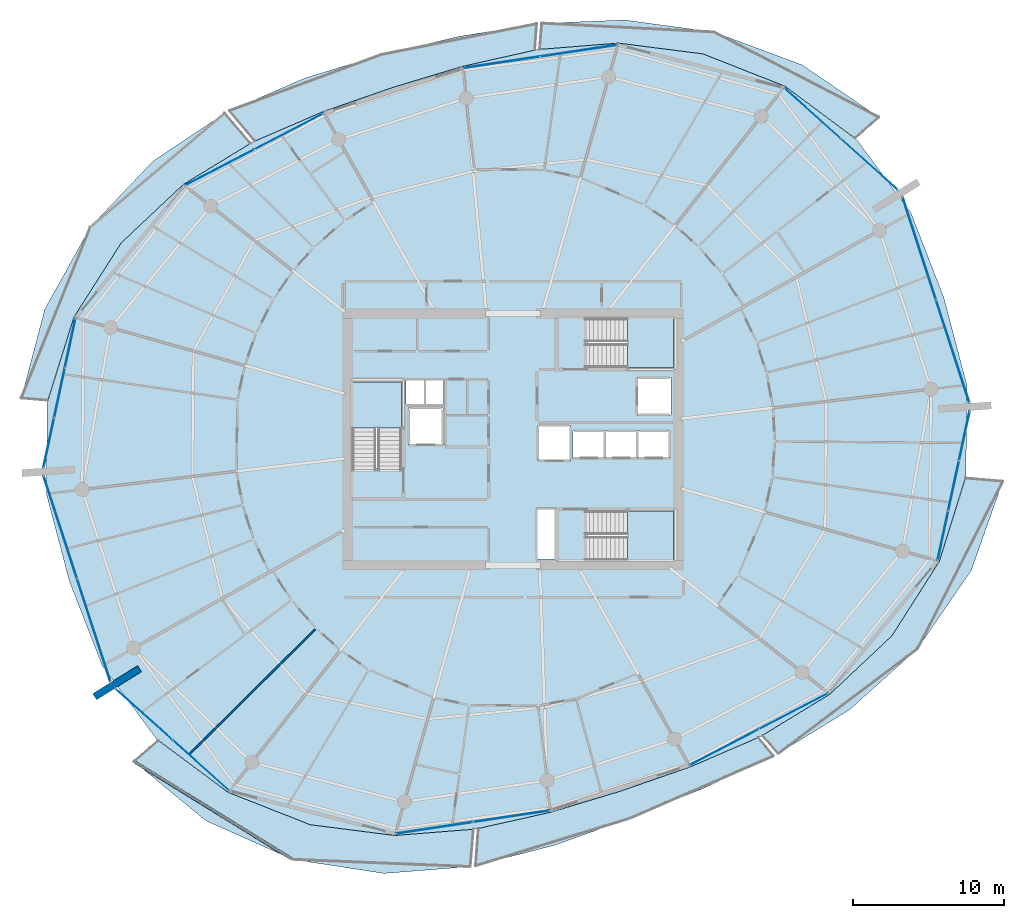
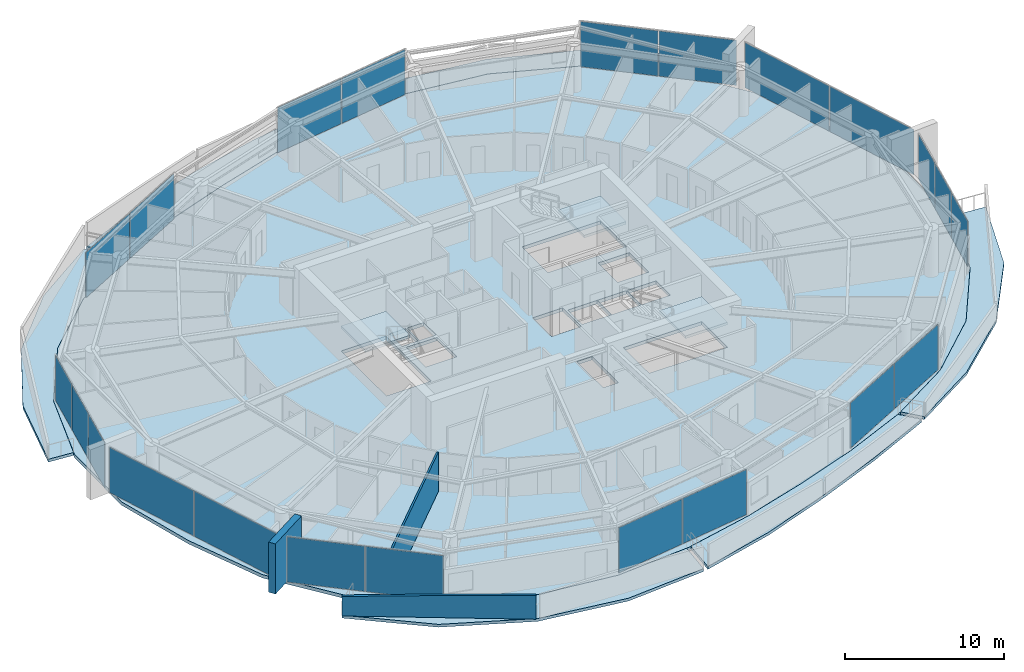
# One storey, part 18 of 31: 22 plates, 10 slabs, 3 walls, 13 elements without a shape of their own.
"""IFC4 building model written with IfcOpenShell, lengths in metres."""

from ifc_helpers import new_model, si_unit, direction, frame, frame_2d, origin, origin_2d, place, context, subcontext, project, spatial, polyline, rectangle, outline, extrude, material, layer, layer_set, type_object, element, aggregate, save


model = new_model("IFC4")

# Units and contexts
model_context = context("Model", 3, precision=1e-05, world=origin(), true_north=direction((0.0, 1.0)))
body_context = subcontext(model_context, "Body", "Model", "MODEL_VIEW")
ifc_project = project(units=[si_unit("LENGTHUNIT", "METRE"), si_unit("AREAUNIT", "SQUARE_METRE"), si_unit("VOLUMEUNIT", "CUBIC_METRE"), si_unit("PLANEANGLEUNIT", "RADIAN"), si_unit("MASSUNIT", "GRAM", prefix="KILO")], contexts=[model_context])

# Site, building, storey
site_placement = place(None, origin())
site = spatial("IfcSite", under=ifc_project, at=site_placement, CompositionType="ELEMENT")
building_placement = place(site_placement, origin())
building = spatial("IfcBuilding", under=site, at=building_placement, Name="Kazma Halo Residences", CompositionType="ELEMENT")
storey_placement = place(building_placement, frame((0.0, 0.0, 240.550048828125)))
storey = spatial("IfcBuildingStorey", under=building, at=storey_placement, Name="L60", CompositionType="ELEMENT", Elevation=240.550048828125)

# Curtain wall, plates
ifc_material_1 = material(Name="Aluminium AW-6063 T6 and Triple-Silver Low-E Glass", Category="aluminium")
ifc_layer_1 = layer(ifc_material_1, 0.139892578125)
ifc_layer_set_1 = layer_set([ifc_layer_1], Name="Aluminium AW-6063 T6 and Triple-Silver Low-E Glass")
curtain_wall_type = type_object("IfcCurtainWallType", Name="CW-SYS-5", PredefinedType="NOTDEFINED", material=ifc_layer_set_1)
curtain_wall_1_placement = place(storey_placement, origin())
curtain_wall_1 = element("IfcCurtainWall", 1, at=curtain_wall_1_placement, inside=storey, type_object=curtain_wall_type, Name="L60 unitised curtain wall B01", PredefinedType="NOTDEFINED")
ifc_material_2 = material(Name="Clear Triple-Silver Low-E Glass IGU", Category="glass")
ifc_layer_2 = layer(ifc_material_2, 0.02587890625)
ifc_layer_set_2 = layer_set([ifc_layer_2], Name="Clear Triple-Silver Low-E Glass IGU")
plate_type = type_object("IfcPlateType", Name="CW-SYS-5-PNL", PredefinedType="CURTAIN_PANEL", material=ifc_layer_set_2)
plate_1_placement = place(storey_placement, frame((72.002685546875, 60.179443359375, 0.06005859375), z_axis=(0.0, 0.0, 1.0), x_axis=(-0.744336424671, 0.667804826958, 0.0)))
plate_1 = element("IfcPlate", 2, at=plate_1_placement, type_object=plate_type, Name="CWS-5 panel 1.1", PredefinedType="CURTAIN_PANEL", context=body_context, shape_type="SweptSolid", body=[
    extrude(rectangle(XDim=4.993408203125, YDim=0.02587890625, at=origin_2d()), origin(), (0.0, 0.0, 1.0), 3.469970703125),
])
plate_2_placement = place(storey_placement, frame((68.2412109375, 63.55419921875, 0.06005859375), z_axis=(0.0, 0.0, 1.0), x_axis=(-0.744336424671, 0.667804826958, 0.0)))
plate_2 = element("IfcPlate", 3, at=plate_2_placement, type_object=plate_type, Name="CWS-5 panel 2.1", PredefinedType="CURTAIN_PANEL", context=body_context, shape_type="SweptSolid", body=[
    extrude(rectangle(XDim=4.993408203125, YDim=0.02587890625, at=origin_2d()), origin(), (0.0, 0.0, 1.0), 3.469970703125),
])
aggregate(curtain_wall_1, [plate_1, plate_2])

curtain_wall_2_placement = place(storey_placement, origin())
curtain_wall_2 = element("IfcCurtainWall", 4, at=curtain_wall_2_placement, inside=storey, type_object=curtain_wall_type, Name="L60 unitised curtain wall B03", PredefinedType="NOTDEFINED")
plate_3_placement = place(storey_placement, frame((52.77783203125, 67.70361328125, 0.06005859375), z_axis=(0.0, 0.0, 1.0), x_axis=(-0.988882792998, -0.148697080374, 0.0)))
plate_3 = element("IfcPlate", 5, at=plate_3_placement, type_object=plate_type, Name="CWS-5 panel 1.1", PredefinedType="CURTAIN_PANEL", context=body_context, shape_type="SweptSolid", body=[
    extrude(rectangle(XDim=5.099853515625, YDim=0.02587890625, at=origin_2d()), origin(), (0.0, 0.0, 1.0), 3.469970703125),
])
plate_4_placement = place(storey_placement, frame((47.67529296875, 66.936279296875, 0.06005859375), z_axis=(0.0, 0.0, 1.0), x_axis=(-0.988882792998, -0.148697080374, 0.0)))
plate_4 = element("IfcPlate", 6, at=plate_4_placement, type_object=plate_type, Name="CWS-5 panel 2.1", PredefinedType="CURTAIN_PANEL", context=body_context, shape_type="SweptSolid", body=[
    extrude(rectangle(XDim=5.099853515625, YDim=0.02587890625, at=origin_2d()), origin(), (0.0, 0.0, 1.0), 3.469970703125),
])
aggregate(curtain_wall_2, [plate_3, plate_4])

curtain_wall_3_placement = place(storey_placement, origin())
curtain_wall_3 = element("IfcCurtainWall", 7, at=curtain_wall_3_placement, inside=storey, type_object=curtain_wall_type, Name="L60 unitised curtain wall B05", PredefinedType="NOTDEFINED")
plate_5_placement = place(storey_placement, frame((33.60546875, 62.36474609375, 0.06005859375), z_axis=(0.0, 0.0, 1.0), x_axis=(-0.887420518694, -0.460960760804, 0.0)))
plate_5 = element("IfcPlate", 8, at=plate_5_placement, type_object=plate_type, Name="CWS-5 panel 1.1", PredefinedType="CURTAIN_PANEL", context=body_context, shape_type="SweptSolid", body=[
    extrude(rectangle(XDim=5.099609375, YDim=0.02587890625, at=origin_2d()), origin(), (0.0, 0.0, 1.0), 3.469970703125),
])
plate_6_placement = place(storey_placement, frame((29.026611328125, 59.986328125, 0.06005859375), z_axis=(0.0, 0.0, 1.0), x_axis=(-0.887420518694, -0.460960760804, 0.0)))
plate_6 = element("IfcPlate", 9, at=plate_6_placement, type_object=plate_type, Name="CWS-5 panel 2.1", PredefinedType="CURTAIN_PANEL", context=body_context, shape_type="SweptSolid", body=[
    extrude(rectangle(XDim=5.099609375, YDim=0.02587890625, at=origin_2d()), origin(), (0.0, 0.0, 1.0), 3.469970703125),
])
aggregate(curtain_wall_3, [plate_5, plate_6])

curtain_wall_4_placement = place(storey_placement, origin())
curtain_wall_4 = element("IfcCurtainWall", 10, at=curtain_wall_4_placement, inside=storey, type_object=curtain_wall_type, Name="L60 unitised curtain wall B07", PredefinedType="NOTDEFINED")
plate_7_placement = place(storey_placement, frame((19.133056640625, 48.36865234375, 0.06005859375), z_axis=(0.0, 0.0, 1.0), x_axis=(-0.209657382603, -0.97777491373, 0.0)))
plate_7 = element("IfcPlate", 11, at=plate_7_placement, type_object=plate_type, Name="CWS-5 panel 1.1", PredefinedType="CURTAIN_PANEL", context=body_context, shape_type="SweptSolid", body=[
    extrude(rectangle(XDim=3.299072265625, YDim=0.02587890625, at=origin_2d()), origin(), (0.0, 0.0, 1.0), 3.469970703125),
])
plate_8_placement = place(storey_placement, frame((18.42578125, 45.069580078125, 0.06005859375), z_axis=(0.0, 0.0, 1.0), x_axis=(-0.209657382603, -0.97777491373, 0.0)))
plate_8 = element("IfcPlate", 12, at=plate_8_placement, type_object=plate_type, Name="CWS-5 panel 2.1", PredefinedType="CURTAIN_PANEL", context=body_context, shape_type="SweptSolid", body=[
    extrude(rectangle(XDim=3.3291015625, YDim=0.02587890625, at=origin_2d()), origin(), (0.0, 0.0, 1.0), 3.469970703125),
])
plate_9_placement = place(storey_placement, frame((17.71826171875, 41.7705078125, 0.06005859375), z_axis=(0.0, 0.0, 1.0), x_axis=(-0.209657382603, -0.97777491373, 0.0)))
plate_9 = element("IfcPlate", 13, at=plate_9_placement, type_object=plate_type, Name="CWS-5 panel 3.1", PredefinedType="CURTAIN_PANEL", context=body_context, shape_type="SweptSolid", body=[
    extrude(rectangle(XDim=3.299072265625, YDim=0.02587890625, at=origin_2d()), origin(), (0.0, 0.0, 1.0), 3.469970703125),
])
aggregate(curtain_wall_4, [plate_7, plate_8, plate_9])

curtain_wall_5_placement = place(storey_placement, origin())
curtain_wall_5 = element("IfcCurtainWall", 14, at=curtain_wall_5_placement, inside=storey, type_object=curtain_wall_type, Name="L60 unitised curtain wall B08", PredefinedType="NOTDEFINED")
plate_10_placement = place(storey_placement, frame((18.48486328125, 36.1787109375, 0.06005859375), z_axis=(0.0, 0.0, 1.0), x_axis=(0.309010998786, -0.951058464359, 0.0)))
plate_10 = element("IfcPlate", 15, at=plate_10_placement, type_object=plate_type, Name="CWS-5 panel 1.1", PredefinedType="CURTAIN_PANEL", context=body_context, shape_type="SweptSolid", body=[
    extrude(rectangle(XDim=7.108642578125, YDim=0.02587890625, at=origin_2d()), origin(), (0.0, 0.0, 1.0), 3.469970703125),
])
plate_11_placement = place(storey_placement, frame((20.699951171875, 29.36083984375, 0.06005859375), z_axis=(0.0, 0.0, 1.0), x_axis=(0.309010998786, -0.951058464359, 0.0)))
plate_11 = element("IfcPlate", 16, at=plate_11_placement, type_object=plate_type, Name="CWS-5 panel 2.1", PredefinedType="CURTAIN_PANEL", context=body_context, shape_type="SweptSolid", body=[
    extrude(rectangle(XDim=7.108642578125, YDim=0.02587890625, at=origin_2d()), origin(), (0.0, 0.0, 1.0), 3.469970703125),
])
aggregate(curtain_wall_5, [plate_10, plate_11])

curtain_wall_6_placement = place(storey_placement, origin())
curtain_wall_6 = element("IfcCurtainWall", 17, at=curtain_wall_6_placement, inside=storey, type_object=curtain_wall_type, Name="L60 unitised curtain wall B09", PredefinedType="NOTDEFINED")
plate_12_placement = place(storey_placement, frame((23.997314453125, 23.820556640625, 0.06005859375), z_axis=(0.0, 0.0, 1.0), x_axis=(0.744336424671, -0.667804826958, 0.0)))
plate_12 = element("IfcPlate", 18, at=plate_12_placement, type_object=plate_type, Name="CWS-5 panel 1.1", PredefinedType="CURTAIN_PANEL", context=body_context, shape_type="SweptSolid", body=[
    extrude(rectangle(XDim=4.993408203125, YDim=0.02587890625, at=origin_2d()), origin(), (0.0, 0.0, 1.0), 3.469970703125),
])
plate_13_placement = place(storey_placement, frame((27.7587890625, 20.44580078125, 0.06005859375), z_axis=(0.0, 0.0, 1.0), x_axis=(0.744336424671, -0.667804826958, 0.0)))
plate_13 = element("IfcPlate", 19, at=plate_13_placement, type_object=plate_type, Name="CWS-5 panel 2.1", PredefinedType="CURTAIN_PANEL", context=body_context, shape_type="SweptSolid", body=[
    extrude(rectangle(XDim=4.993408203125, YDim=0.02587890625, at=origin_2d()), origin(), (0.0, 0.0, 1.0), 3.469970703125),
])
aggregate(curtain_wall_6, [plate_12, plate_13])

curtain_wall_7_placement = place(storey_placement, origin())
curtain_wall_7 = element("IfcCurtainWall", 20, at=curtain_wall_7_placement, inside=storey, type_object=curtain_wall_type, Name="L60 unitised curtain wall B11", PredefinedType="NOTDEFINED")
plate_14_placement = place(storey_placement, frame((43.22216796875, 16.29638671875, 0.06005859375), z_axis=(0.0, 0.0, 1.0), x_axis=(0.988882792998, 0.148697080374, 0.0)))
plate_14 = element("IfcPlate", 21, at=plate_14_placement, type_object=plate_type, Name="CWS-5 panel 1.1", PredefinedType="CURTAIN_PANEL", context=body_context, shape_type="SweptSolid", body=[
    extrude(rectangle(XDim=5.099853515625, YDim=0.02587890625, at=origin_2d()), origin(), (0.0, 0.0, 1.0), 3.469970703125),
])
plate_15_placement = place(storey_placement, frame((48.32470703125, 17.063720703125, 0.06005859375), z_axis=(0.0, 0.0, 1.0), x_axis=(0.988882792998, 0.148697080374, 0.0)))
plate_15 = element("IfcPlate", 22, at=plate_15_placement, type_object=plate_type, Name="CWS-5 panel 2.1", PredefinedType="CURTAIN_PANEL", context=body_context, shape_type="SweptSolid", body=[
    extrude(rectangle(XDim=5.099853515625, YDim=0.02587890625, at=origin_2d()), origin(), (0.0, 0.0, 1.0), 3.469970703125),
])
aggregate(curtain_wall_7, [plate_14, plate_15])

curtain_wall_8_placement = place(storey_placement, origin())
curtain_wall_8 = element("IfcCurtainWall", 23, at=curtain_wall_8_placement, inside=storey, type_object=curtain_wall_type, Name="L60 unitised curtain wall B13", PredefinedType="NOTDEFINED")
plate_16_placement = place(storey_placement, frame((62.39453125, 21.63525390625, 0.06005859375), z_axis=(0.0, 0.0, 1.0), x_axis=(0.887420518694, 0.460960760804, 0.0)))
plate_16 = element("IfcPlate", 24, at=plate_16_placement, type_object=plate_type, Name="CWS-5 panel 1.1", PredefinedType="CURTAIN_PANEL", context=body_context, shape_type="SweptSolid", body=[
    extrude(rectangle(XDim=5.099609375, YDim=0.02587890625, at=origin_2d()), origin(), (0.0, 0.0, 1.0), 3.469970703125),
])
plate_17_placement = place(storey_placement, frame((66.973388671875, 24.013671875, 0.06005859375), z_axis=(0.0, 0.0, 1.0), x_axis=(0.887420518694, 0.460960760804, 0.0)))
plate_17 = element("IfcPlate", 25, at=plate_17_placement, type_object=plate_type, Name="CWS-5 panel 2.1", PredefinedType="CURTAIN_PANEL", context=body_context, shape_type="SweptSolid", body=[
    extrude(rectangle(XDim=5.099609375, YDim=0.02587890625, at=origin_2d()), origin(), (0.0, 0.0, 1.0), 3.469970703125),
])
aggregate(curtain_wall_8, [plate_16, plate_17])

curtain_wall_9_placement = place(storey_placement, origin())
curtain_wall_9 = element("IfcCurtainWall", 26, at=curtain_wall_9_placement, inside=storey, type_object=curtain_wall_type, Name="L60 unitised curtain wall B15", PredefinedType="NOTDEFINED")
plate_18_placement = place(storey_placement, frame((76.866943359375, 35.63134765625, 0.06005859375), z_axis=(0.0, 0.0, 1.0), x_axis=(0.209657382603, 0.97777491373, 0.0)))
plate_18 = element("IfcPlate", 27, at=plate_18_placement, type_object=plate_type, Name="CWS-5 panel 1.1", PredefinedType="CURTAIN_PANEL", context=body_context, shape_type="SweptSolid", body=[
    extrude(rectangle(XDim=3.299072265625, YDim=0.02587890625, at=origin_2d()), origin(), (0.0, 0.0, 1.0), 3.469970703125),
])
plate_19_placement = place(storey_placement, frame((77.57421875, 38.930419921875, 0.06005859375), z_axis=(0.0, 0.0, 1.0), x_axis=(0.209657382603, 0.97777491373, 0.0)))
plate_19 = element("IfcPlate", 28, at=plate_19_placement, type_object=plate_type, Name="CWS-5 panel 2.1", PredefinedType="CURTAIN_PANEL", context=body_context, shape_type="SweptSolid", body=[
    extrude(rectangle(XDim=3.3291015625, YDim=0.02587890625, at=origin_2d()), origin(), (0.0, 0.0, 1.0), 3.469970703125),
])
plate_20_placement = place(storey_placement, frame((78.28173828125, 42.2294921875, 0.06005859375), z_axis=(0.0, 0.0, 1.0), x_axis=(0.209657382603, 0.97777491373, 0.0)))
plate_20 = element("IfcPlate", 29, at=plate_20_placement, type_object=plate_type, Name="CWS-5 panel 3.1", PredefinedType="CURTAIN_PANEL", context=body_context, shape_type="SweptSolid", body=[
    extrude(rectangle(XDim=3.299072265625, YDim=0.02587890625, at=origin_2d()), origin(), (0.0, 0.0, 1.0), 3.469970703125),
])
aggregate(curtain_wall_9, [plate_18, plate_19, plate_20])

curtain_wall_10_placement = place(storey_placement, origin())
curtain_wall_10 = element("IfcCurtainWall", 30, at=curtain_wall_10_placement, inside=storey, type_object=curtain_wall_type, Name="L60 unitised curtain wall B16", PredefinedType="NOTDEFINED")
plate_21_placement = place(storey_placement, frame((77.51513671875, 47.8212890625, 0.06005859375), z_axis=(0.0, 0.0, 1.0), x_axis=(-0.309010998786, 0.951058464359, 0.0)))
plate_21 = element("IfcPlate", 31, at=plate_21_placement, type_object=plate_type, Name="CWS-5 panel 1.1", PredefinedType="CURTAIN_PANEL", context=body_context, shape_type="SweptSolid", body=[
    extrude(rectangle(XDim=7.108642578125, YDim=0.02587890625, at=origin_2d()), origin(), (0.0, 0.0, 1.0), 3.469970703125),
])
plate_22_placement = place(storey_placement, frame((75.300048828125, 54.63916015625, 0.06005859375), z_axis=(0.0, 0.0, 1.0), x_axis=(-0.309010998786, 0.951058464359, 0.0)))
plate_22 = element("IfcPlate", 32, at=plate_22_placement, type_object=plate_type, Name="CWS-5 panel 2.1", PredefinedType="CURTAIN_PANEL", context=body_context, shape_type="SweptSolid", body=[
    extrude(rectangle(XDim=7.108642578125, YDim=0.02587890625, at=origin_2d()), origin(), (0.0, 0.0, 1.0), 3.469970703125),
])
aggregate(curtain_wall_10, [plate_21, plate_22])

# Slabs
ifc_material_3 = material(Name="White Concrete C50/60", Category="concrete")
ifc_layer_3 = layer(ifc_material_3, 0.219970703125)
ifc_layer_set_3 = layer_set([ifc_layer_3], Name="White Concrete C50/60")
slab_type_1 = type_object("IfcSlabType", Name="SLB-BAL-WAVE-210", PredefinedType="FLOOR", material=ifc_layer_set_3)
slab_1_placement = place(storey_placement, frame((0.0, 0.0, -0.219970703125)))
element("IfcSlab", 33, at=slab_1_placement, inside=storey, type_object=slab_type_1, Name="L60 NE cantilevered wave balcony slab", PredefinedType="FLOOR", context=body_context, shape_type="SweptSolid", body=[
    extrude(outline(polyline([(71.0400390625, 61.9228515625), (66.41357421875, 65.357421875), (60.990478515625, 67.49560546875), (55.3916015625, 68.208984375), (50.188720703125, 67.794189453125), (50.33544921875, 69.523681640625), (55.82275390625, 69.7373046875), (61.72509765625, 68.936767578125), (67.533447265625, 66.778076171875), (72.63720703125, 63.3037109375), (71.0400390625, 61.9228515625)])), origin(), (0.0, 0.0, 1.0), 0.219970703125),
])
slab_2_placement = place(storey_placement, frame((0.0, 0.0, -0.219970703125)))
element("IfcSlab", 34, at=slab_2_placement, inside=storey, type_object=slab_type_1, Name="L60 NNW cantilevered wave balcony slab", PredefinedType="FLOOR", context=body_context, shape_type="SweptSolid", body=[
    extrude(outline(polyline([(49.8681640625, 67.74609375), (45.080078125, 66.66943359375), (40.43994140625, 65.267333984375), (35.86181640625, 63.67431640625), (31.35546875, 61.731201171875), (29.66259765625, 63.73779296875), (34.62548828125, 65.882080078125), (39.730224609375, 67.451904296875), (44.845458984375, 68.652099609375), (49.994384765625, 69.486083984375), (49.8681640625, 67.74609375)])), origin(), (0.0, 0.0, 1.0), 0.219970703125),
])
slab_3_placement = place(storey_placement, frame((0.0, 0.0, -0.219970703125)))
element("IfcSlab", 35, at=slab_3_placement, inside=storey, type_object=slab_type_1, Name="L60 NW cantilevered wave balcony slab", PredefinedType="FLOOR", context=body_context, shape_type="SweptSolid", body=[
    extrude(outline(polyline([(31.06787109375, 61.58154296875), (26.614501953125, 58.85888671875), (22.50439453125, 54.990478515625), (19.3740234375, 50.0732421875), (17.64990234375, 44.5751953125), (15.89599609375, 44.72412109375), (17.452392578125, 50.615234375), (20.4580078125, 56.033447265625), (24.62744140625, 60.42529296875), (29.34765625, 63.571044921875), (31.06787109375, 61.58154296875)])), origin(), (0.0, 0.0, 1.0), 0.219970703125),
])
slab_4_placement = place(storey_placement, frame((0.0, 0.0, -0.219970703125)))
element("IfcSlab", 36, at=slab_4_placement, inside=storey, type_object=slab_type_1, Name="L60 SW cantilevered wave balcony slab", PredefinedType="FLOOR", context=body_context, shape_type="SweptSolid", body=[
    extrude(outline(polyline([(24.9599609375, 22.0771484375), (29.58642578125, 18.642578125), (35.009521484375, 16.50439453125), (40.6083984375, 15.791015625), (45.811279296875, 16.205810546875), (45.601318359375, 13.72998046875), (39.900390625, 13.28076171875), (33.8388671875, 14.20703125), (28.10888671875, 16.76806640625), (23.348388671875, 20.68359375), (24.9599609375, 22.0771484375)])), origin(), (0.0, 0.0, 1.0), 0.219970703125),
])
slab_5_placement = place(storey_placement, frame((0.0, 0.0, -0.219970703125)))
element("IfcSlab", 37, at=slab_5_placement, inside=storey, type_object=slab_type_1, Name="L60 SSE cantilevered wave balcony slab", PredefinedType="FLOOR", context=body_context, shape_type="SweptSolid", body=[
    extrude(outline(polyline([(46.1318359375, 16.25390625), (50.919921875, 17.33056640625), (55.56005859375, 18.732666015625), (60.13818359375, 20.32568359375), (64.64453125, 22.268798828125), (65.666748046875, 21.05712890625), (60.951904296875, 18.87255859375), (56.146728515625, 16.926513671875), (51.17822265625, 15.146240234375), (45.953369140625, 13.794189453125), (46.1318359375, 16.25390625)])), origin(), (0.0, 0.0, 1.0), 0.219970703125),
])
slab_6_placement = place(storey_placement, frame((0.0, 0.0, -0.219970703125)))
element("IfcSlab", 38, at=slab_6_placement, inside=storey, type_object=slab_type_1, Name="L60 SE cantilevered wave balcony slab", PredefinedType="FLOOR", context=body_context, shape_type="SweptSolid", body=[
    extrude(outline(polyline([(64.93212890625, 22.41845703125), (69.385498046875, 25.14111328125), (73.49560546875, 29.009521484375), (76.6259765625, 33.9267578125), (78.35009765625, 39.4248046875), (80.822998046875, 39.21484375), (78.742919921875, 33.32958984375), (75.1875, 28.147216796875), (70.693359375, 24.110107421875), (65.972412109375, 21.215576171875), (64.93212890625, 22.41845703125)])), origin(), (0.0, 0.0, 1.0), 0.219970703125),
])
ifc_material_4 = material(Name="Concrete C50/60", Category="concrete")
ifc_layer_4 = layer(ifc_material_4, 0.260009765625)
ifc_layer_set_4 = layer_set([ifc_layer_4], Name="Concrete C50/60")
slab_type_2 = type_object("IfcSlabType", Name="SLB-RES-260", PredefinedType="FLOOR", material=ifc_layer_set_4)
slab_7_placement = place(storey_placement, frame((0.0, 0.0, -0.260009765625)))
element("IfcSlab", 39, at=slab_7_placement, inside=storey, type_object=slab_type_2, Name="L60 structural floor slab", PredefinedType="FLOOR", context=body_context, shape_type="SweptSolid", body=[
    extrude(outline(polyline([(76.9189453125, 51.396240234375), (74.749755859375, 56.980712890625), (71.180419921875, 61.7978515625), (66.412109375, 65.355712890625), (60.98974609375, 67.49365234375), (55.39111328125, 68.207275390625), (50.02880859375, 67.7783203125), (45.080322265625, 66.66748046875), (40.440673828125, 65.265380859375), (35.86279296875, 63.672607421875), (31.20654296875, 61.66259765625), (26.6162109375, 58.857666015625), (22.50634765625, 54.98974609375), (19.3759765625, 50.07275390625), (17.60986328125, 44.391845703125), (17.5537109375, 38.396484375), (19.0810546875, 32.603759765625), (21.250244140625, 27.019287109375), (24.819580078125, 22.2021484375), (29.587890625, 18.644287109375), (35.01025390625, 16.50634765625), (40.60888671875, 15.792724609375), (45.97119140625, 16.2216796875), (50.919677734375, 17.33251953125), (55.559326171875, 18.734619140625), (60.13720703125, 20.327392578125), (64.79345703125, 22.33740234375), (69.3837890625, 25.142333984375), (73.49365234375, 29.01025390625), (76.6240234375, 33.92724609375), (78.39013671875, 39.608154296875), (78.4462890625, 45.603515625), (76.9189453125, 51.396240234375)]), holes=[polyline([(37.800048828125, 40.110107421875), (41.050048828125, 40.110107421875), (41.050048828125, 45.800048828125), (37.800048828125, 45.800048828125), (37.800048828125, 40.110107421875)]), polyline([(53.360107421875, 46.75), (59.050048828125, 46.75), (59.050048828125, 50.0), (53.360107421875, 50.0), (53.360107421875, 46.75)]), polyline([(53.360107421875, 34.0), (59.050048828125, 34.0), (59.050048828125, 37.25), (53.360107421875, 37.25), (53.360107421875, 34.0)]), polyline([(41.52001953125, 41.6201171875), (43.780029296875, 41.6201171875), (43.780029296875, 44.080078125), (41.52001953125, 44.080078125), (41.52001953125, 41.6201171875)]), polyline([(56.6201171875, 43.6201171875), (58.8798828125, 43.6201171875), (58.8798828125, 46.080078125), (56.6201171875, 46.080078125), (56.6201171875, 43.6201171875)]), polyline([(52.39501953125, 40.7451171875), (54.5048828125, 40.7451171875), (54.5048828125, 42.554931640625), (52.39501953125, 42.554931640625), (52.39501953125, 40.7451171875)]), polyline([(54.544921875, 40.7451171875), (56.655029296875, 40.7451171875), (56.655029296875, 42.554931640625), (54.544921875, 42.554931640625), (54.544921875, 40.7451171875)]), polyline([(56.695068359375, 40.7451171875), (58.804931640625, 40.7451171875), (58.804931640625, 42.554931640625), (56.695068359375, 42.554931640625), (56.695068359375, 40.7451171875)]), polyline([(50.070068359375, 40.570068359375), (52.22998046875, 40.570068359375), (52.22998046875, 42.929931640625), (50.070068359375, 42.929931640625), (50.070068359375, 40.570068359375)]), polyline([(41.360107421875, 44.340087890625), (42.5400390625, 44.340087890625), (42.5400390625, 45.89990234375), (41.360107421875, 45.89990234375), (41.360107421875, 44.340087890625)]), polyline([(42.659912109375, 44.340087890625), (43.840087890625, 44.340087890625), (43.840087890625, 45.89990234375), (42.659912109375, 45.89990234375), (42.659912109375, 44.340087890625)]), polyline([(50.06005859375, 34.080078125), (51.159912109375, 34.080078125), (51.159912109375, 37.3798828125), (50.06005859375, 37.3798828125), (50.06005859375, 34.080078125)])]), origin(), (0.0, 0.0, 1.0), 0.260009765625),
])

# Stair, slab
stair_type = type_object("IfcStairType", Name="STR-RES2", PredefinedType="HALF_TURN_STAIR", material=ifc_material_4)
stair_1_placement = place(storey_placement, origin())
stair_1 = element("IfcStair", 40, at=stair_1_placement, inside=storey, type_object=stair_type, Name="L60 Core exit stair ST-01", PredefinedType="HALF_TURN_STAIR")
ifc_layer_5 = layer(ifc_material_4, 0.199951171875)
ifc_layer_set_5 = layer_set([ifc_layer_5], Name="Concrete C50/60")
slab_type_3 = type_object("IfcSlabType", Name="SLB-STAIR-LND-200", PredefinedType="LANDING", material=ifc_layer_set_5)
slab_8_placement = place(storey_placement, frame((0.0, 0.0, 1.724853515625)))
slab_8 = element("IfcSlab", 41, at=slab_8_placement, type_object=slab_type_3, Name="ST-01 landing 1", PredefinedType="LANDING", context=body_context, shape_type="SweptSolid", body=[
    extrude(outline(polyline([(41.050048828125, 42.75), (41.050048828125, 45.800048828125), (37.800048828125, 45.800048828125), (37.800048828125, 42.75), (41.050048828125, 42.75)])), origin(), (0.0, 0.0, 1.0), 0.2001953125),
])
aggregate(stair_1, [slab_8])

stair_2_placement = place(storey_placement, origin())
stair_2 = element("IfcStair", 42, at=stair_2_placement, inside=storey, type_object=stair_type, Name="L60 Core exit stair ST-02", PredefinedType="HALF_TURN_STAIR")
slab_9_placement = place(storey_placement, frame((0.0, 0.0, 1.724853515625)))
slab_9 = element("IfcSlab", 43, at=slab_9_placement, type_object=slab_type_3, Name="ST-02 landing 1", PredefinedType="LANDING", context=body_context, shape_type="SweptSolid", body=[
    extrude(outline(polyline([(56.0, 46.75), (59.050048828125, 46.75), (59.050048828125, 50.0), (56.0, 50.0), (56.0, 46.75)])), origin(), (0.0, 0.0, 1.0), 0.2001953125),
])
aggregate(stair_2, [slab_9])

stair_3_placement = place(storey_placement, origin())
stair_3 = element("IfcStair", 44, at=stair_3_placement, inside=storey, type_object=stair_type, Name="L60 Core exit stair ST-03", PredefinedType="HALF_TURN_STAIR")
slab_10_placement = place(storey_placement, frame((0.0, 0.0, 1.724853515625)))
slab_10 = element("IfcSlab", 45, at=slab_10_placement, type_object=slab_type_3, Name="ST-03 landing 1", PredefinedType="LANDING", context=body_context, shape_type="SweptSolid", body=[
    extrude(outline(polyline([(56.0, 34.0), (59.050048828125, 34.0), (59.050048828125, 37.25), (56.0, 37.25), (56.0, 34.0)])), origin(), (0.0, 0.0, 1.0), 0.2001953125),
])
aggregate(stair_3, [slab_10])

# Walls
ifc_material_5 = material(Name="White Concrete C50/60 Balustrade", Category="concrete")
ifc_layer_6 = layer(ifc_material_5, 0.179931640625)
ifc_layer_set_6 = layer_set([ifc_layer_6], Name="White Concrete C50/60 Balustrade")
wall_type_1 = type_object("IfcWallType", Name="WL-BAL-WAVE-180", PredefinedType="PARAPET", material=ifc_layer_set_6)
wall_1_placement = place(storey_placement, frame((23.348388671875, 20.68359375, 0.0), z_axis=(0.0, 0.0, 1.0), x_axis=(0.850900796978, -0.52532640682, 0.0)))
element("IfcWall", 46, at=wall_1_placement, inside=storey, type_object=wall_type_1, Name="L60 white wave balustrade wall SW.1", PredefinedType="PARAPET", context=body_context, shape_type="SweptSolid", body=[
    extrude(outline(polyline([(0.0, 0.0), (12.208740234375, 0.0), (12.20849609375, 1.83203125), (6.104248046875, 1.696044921875), (0.0, 1.4970703125), (0.0, 0.0)])), frame((0.0, 0.08984375, 0.0), z_axis=(0.0, -1.0, 0.0), x_axis=(1.0, 0.0, 0.0)), (0.0, 0.0, 1.0), 0.179931640625),
])
ifc_material_6 = material(Name="Pale Concrete C60/75", Category="concrete")
ifc_layer_7 = layer(ifc_material_6, 0.47998046875)
ifc_layer_set_7 = layer_set([ifc_layer_7], Name="Pale Concrete C60/75")
wall_type_2 = type_object("IfcWallType", Name="WL-BLADE-480", PredefinedType="SOLIDWALL", material=ifc_layer_set_7)
wall_2_placement = place(storey_placement, frame((23.718505859375, 26.827392578125, 0.0), z_axis=(0.0, 0.0, 1.0), x_axis=(-0.848033572426, -0.529942506352, 0.0)))
element("IfcWall", 47, at=wall_2_placement, inside=storey, type_object=wall_type_2, Name="L60 pale concrete structural blade fin wall BW-03", PredefinedType="SOLIDWALL", context=body_context, shape_type="SweptSolid", body=[
    extrude(rectangle(XDim=3.5, YDim=0.47998046875, at=frame_2d((1.75, 0.0))), origin(), (0.0, 0.0, 1.0), 3.849853515625),
])
ifc_material_7 = material(Name="Gypsum Plasterboard Partition")
ifc_layer_8 = layer(ifc_material_7, 0.125)
ifc_layer_set_8 = layer_set([ifc_layer_8], Name="Gypsum Plasterboard Partition")
wall_type_3 = type_object("IfcWallType", Name="WL-PART-125", PredefinedType="PARTITIONING", material=ifc_layer_set_8)
wall_3_placement = place(storey_placement, frame((35.334716796875, 29.426025390625, 0.0), z_axis=(0.0, 0.0, 1.0), x_axis=(-0.709660425086, -0.704543881576, 0.0)))
element("IfcWall", 48, at=wall_3_placement, inside=storey, type_object=wall_type_3, Name="L60 Apartment 2 suite divider 8", PredefinedType="PARTITIONING", context=body_context, shape_type="SweptSolid", body=[
    extrude(rectangle(XDim=11.738037109375, YDim=0.125, at=frame_2d((5.869140625, 0.0))), origin(), (0.0, 0.0, 1.0), 3.030029296875),
])

save(model, "model.ifc")
